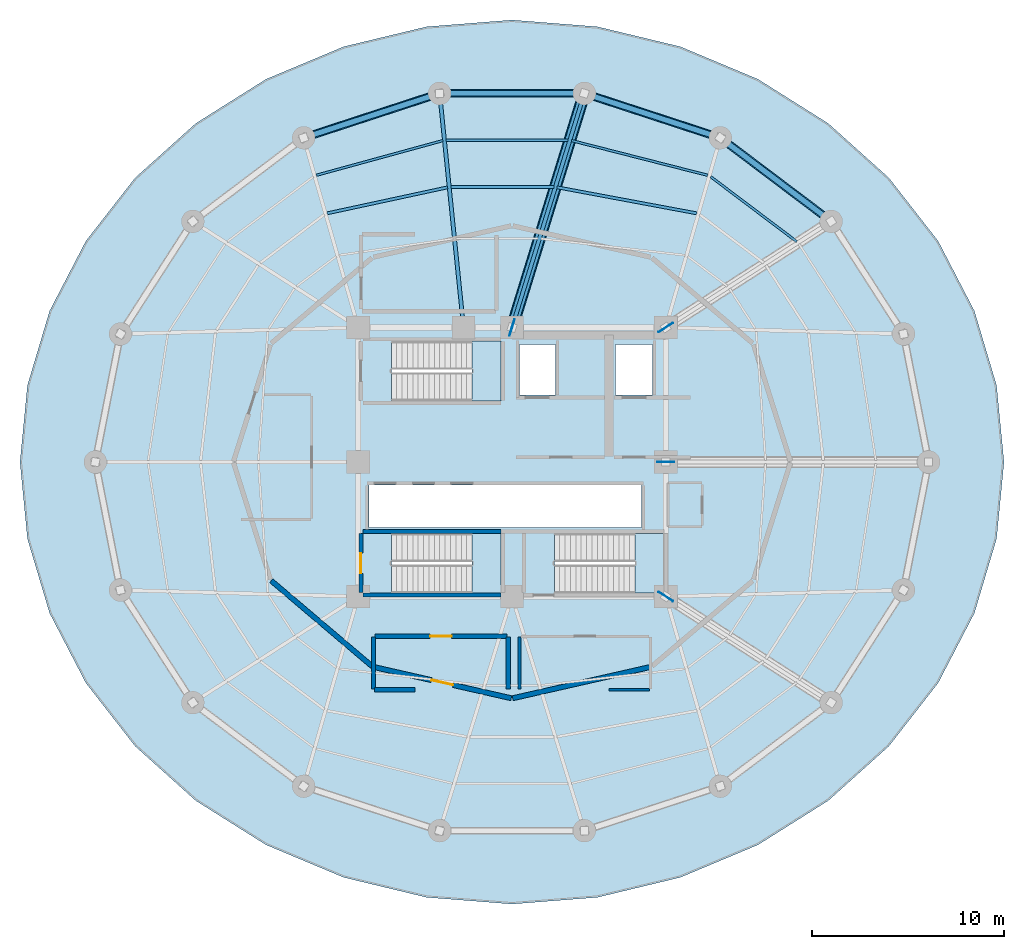
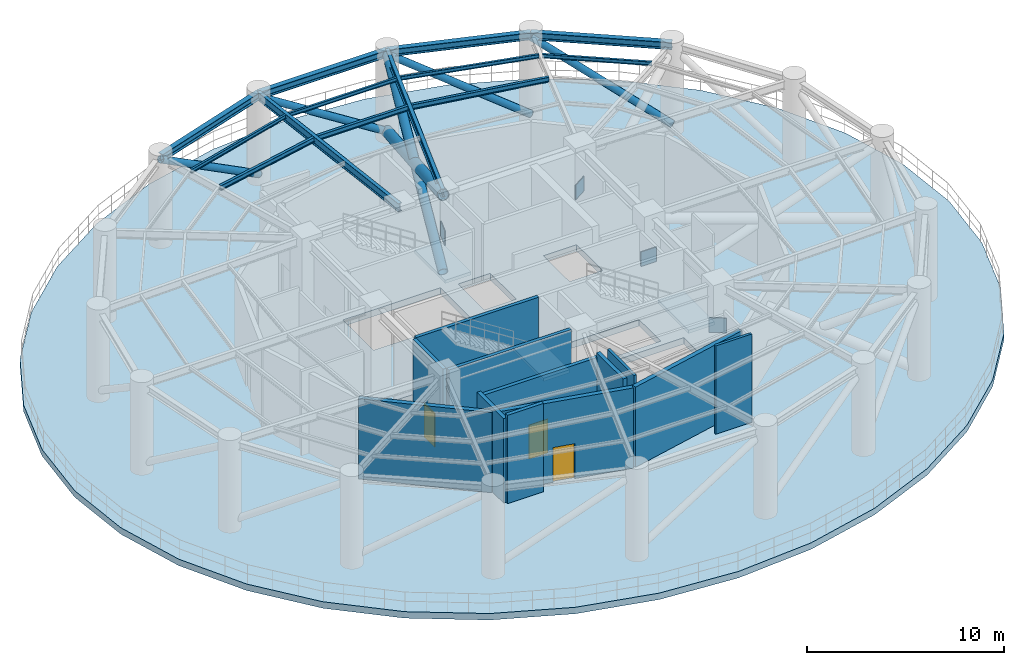
# One storey, part 3 of 7: 13 beams, 12 walls, 6 members, 4 plates, 4 slabs, 3 doors, 3 openings, 3 elements without a shape of their own.
"""IFC4 building model written with IfcOpenShell, lengths in metres."""

from ifc_helpers import new_model, si_unit, direction, frame, frame_2d, origin, origin_2d, place, context, subcontext, project, spatial, polyline, rectangle, hollow_circle, i_section, outline, extrude, source, transform, mapped, material, layer, layer_set, material_profile, profile_set, type_object, element, fill, aggregate, save


model = new_model("IFC4")

# Units and contexts
model_context = context("Model", 3, precision=1e-05, world=origin(), true_north=direction((0.0, 1.0)))
body_context = subcontext(model_context, "Body", "Model", "MODEL_VIEW")
ifc_project = project(units=[si_unit("LENGTHUNIT", "METRE"), si_unit("AREAUNIT", "SQUARE_METRE"), si_unit("VOLUMEUNIT", "CUBIC_METRE"), si_unit("PLANEANGLEUNIT", "RADIAN"), si_unit("MASSUNIT", "GRAM", prefix="KILO")], contexts=[model_context])

# Site, building, storey
site_placement = place(None, origin())
site = spatial("IfcSite", under=ifc_project, at=site_placement, CompositionType="ELEMENT")
building_placement = place(site_placement, origin())
building = spatial("IfcBuilding", under=site, at=building_placement, Name="Kelanora Arch Commons", CompositionType="ELEMENT")
storey_placement = place(building_placement, frame((0.0, 0.0, 129.860107421875)))
storey = spatial("IfcBuildingStorey", under=building, at=storey_placement, Name="L33", CompositionType="ELEMENT", Elevation=129.860107421875)

# Beams
ifc_material_1 = material(Name="Steel S355", Category="steel")
ifc_material_profile_1 = material_profile(ifc_material_1, i_section(OverallWidth=0.14990234375, OverallDepth=0.300048828125, WebThickness=0.007080078125, FlangeThickness=0.0107421875, FilletRadius=0.014892578125, at=origin_2d()), Name="IPE300")
ifc_profile_set_1 = profile_set([ifc_material_profile_1], Name="Steel S355")
beam_type_1 = type_object("IfcBeamType", Name="BM-JST-01", PredefinedType="JOIST", material=ifc_profile_set_1)
beam_1_placement = place(storey_placement, frame((83.620361328125, 70.937744140625, 5.329833984375), z_axis=(-0.983054256126, 0.183314837134, 0.0), x_axis=(-0.183314837134, -0.983054256126, 0.0)))
element("IfcBeam", 1, at=beam_1_placement, inside=storey, type_object=beam_type_1, Name="Secondary Chord Joist BJB-06 L33", PredefinedType="JOIST", context=body_context, shape_type="SweptSolid", body=[
    extrude(i_section(OverallWidth=0.14990234375, OverallDepth=0.300048828125, WebThickness=0.007080078125, FlangeThickness=0.0107421875, FilletRadius=0.014892578125, at=origin_2d()), origin(), (0.0, 0.0, 1.0), 7.403564453125),
])
beam_2_placement = place(storey_placement, frame((76.173828125, 72.310546875, 5.329833984375), z_axis=(-1.0, 0.0, 0.0), x_axis=(0.0, -1.0, 0.0)))
element("IfcBeam", 2, at=beam_2_placement, inside=storey, type_object=beam_type_1, Name="Secondary Chord Joist BJB-08 L33", PredefinedType="JOIST", context=body_context, shape_type="SweptSolid", body=[
    extrude(i_section(OverallWidth=0.14990234375, OverallDepth=0.300048828125, WebThickness=0.007080078125, FlangeThickness=0.0107421875, FilletRadius=0.014892578125, at=origin_2d()), origin(), (0.0, 0.0, 1.0), 5.355712890625),
])
beam_3_placement = place(storey_placement, frame((70.650146484375, 72.29248046875, 5.329833984375), z_axis=(-0.977521966827, -0.210833594029, 0.0), x_axis=(0.210833594029, -0.977521966827, 0.0)))
element("IfcBeam", 3, at=beam_3_placement, inside=storey, type_object=beam_type_1, Name="Secondary Chord Joist BJB-10 L33", PredefinedType="JOIST", context=body_context, shape_type="SweptSolid", body=[
    extrude(i_section(OverallWidth=0.14990234375, OverallDepth=0.300048828125, WebThickness=0.007080078125, FlangeThickness=0.0107421875, FilletRadius=0.014892578125, at=origin_2d()), origin(), (0.0, 0.0, 1.0), 6.415283203125),
])
ifc_material_profile_2 = material_profile(ifc_material_1, i_section(OverallWidth=0.1201171875, OverallDepth=0.239990234375, WebThickness=0.006103515625, FlangeThickness=0.009765625, FilletRadius=0.014892578125, at=origin_2d()), Name="IPE240")
ifc_profile_set_2 = profile_set([ifc_material_profile_2], Name="Steel S355")
beam_type_2 = type_object("IfcBeamType", Name="BM-JST-02", PredefinedType="JOIST", material=ifc_profile_set_2)
beam_4_placement = place(storey_placement, frame((88.818359375, 69.468505859375, 5.35986328125), z_axis=(-0.798493128577, 0.602003923256, 0.0), x_axis=(-0.602003923256, -0.798493128577, 0.0)))
element("IfcBeam", 4, at=beam_4_placement, inside=storey, type_object=beam_type_2, Name="Secondary Chord Joist BJC-04 L33", PredefinedType="JOIST", context=body_context, shape_type="SweptSolid", body=[
    extrude(i_section(OverallWidth=0.1201171875, OverallDepth=0.239990234375, WebThickness=0.006103515625, FlangeThickness=0.009765625, FilletRadius=0.014892578125, at=origin_2d()), origin(), (0.0, 0.0, 1.0), 5.608642578125),
])
beam_5_placement = place(storey_placement, frame((84.189697265625, 72.917236328125, 5.35986328125), z_axis=(-0.96900232943, 0.247051584815, 0.0), x_axis=(-0.247051584815, -0.96900232943, 0.0)))
element("IfcBeam", 5, at=beam_5_placement, inside=storey, type_object=beam_type_2, Name="Secondary Chord Joist BJC-06 L33", PredefinedType="JOIST", context=body_context, shape_type="SweptSolid", body=[
    extrude(i_section(OverallWidth=0.1201171875, OverallDepth=0.239990234375, WebThickness=0.006103515625, FlangeThickness=0.009765625, FilletRadius=0.014892578125, at=origin_2d()), origin(), (0.0, 0.0, 1.0), 7.32275390625),
])
beam_6_placement = place(storey_placement, frame((76.9267578125, 74.747314453125, 5.35986328125), z_axis=(-1.0, 0.0, 0.0), x_axis=(0.0, -1.0, 0.0)))
element("IfcBeam", 6, at=beam_6_placement, inside=storey, type_object=beam_type_2, Name="Secondary Chord Joist BJC-08 L33", PredefinedType="JOIST", context=body_context, shape_type="SweptSolid", body=[
    extrude(i_section(OverallWidth=0.1201171875, OverallDepth=0.239990234375, WebThickness=0.006103515625, FlangeThickness=0.009765625, FilletRadius=0.014892578125, at=origin_2d()), origin(), (0.0, 0.0, 1.0), 6.357666015625),
])
beam_7_placement = place(storey_placement, frame((70.40234375, 74.724853515625, 5.35986328125), z_axis=(-0.964456541131, -0.264241518824, 0.0), x_axis=(0.264241518824, -0.964456541131, 0.0)))
element("IfcBeam", 7, at=beam_7_placement, inside=storey, type_object=beam_type_2, Name="Secondary Chord Joist BJC-10 L33", PredefinedType="JOIST", context=body_context, shape_type="SweptSolid", body=[
    extrude(i_section(OverallWidth=0.1201171875, OverallDepth=0.239990234375, WebThickness=0.006103515625, FlangeThickness=0.009765625, FilletRadius=0.014892578125, at=origin_2d()), origin(), (0.0, 0.0, 1.0), 6.835205078125),
])
ifc_material_profile_3 = material_profile(ifc_material_1, i_section(OverallWidth=0.199951171875, OverallDepth=0.5, WebThickness=0.01025390625, FlangeThickness=0.01611328125, FilletRadius=0.02099609375, at=origin_2d()), Name="IPE500")
ifc_profile_set_3 = profile_set([ifc_material_profile_3], Name="Steel S355")
beam_type_3 = type_object("IfcBeamType", Name="BM-RAD-Z3", PredefinedType="BEAM", material=ifc_profile_set_3)
beam_8_placement = place(storey_placement, frame((74.0, 65.0, 5.22998046875), z_axis=(0.295210315095, 0.955432294755, 0.0), x_axis=(-0.955432294755, 0.295210315095, 0.0)))
element("IfcBeam", 8, at=beam_8_placement, inside=storey, type_object=beam_type_3, Name="Radial Floor Girder BR-08 L33", PredefinedType="BEAM", context=body_context, shape_type="SweptSolid", body=[
    extrude(i_section(OverallWidth=0.199951171875, OverallDepth=0.5, WebThickness=0.01025390625, FlangeThickness=0.01611328125, FilletRadius=0.02099609375, at=origin_2d()), origin(), (0.0, 0.0, 1.0), 12.75244140625),
])
beam_9_placement = place(storey_placement, frame((71.47998046875, 65.0, 5.22998046875), z_axis=(-0.101623200789, 0.994822961668, 0.0), x_axis=(-0.994822961668, -0.101623200789, 0.0)))
element("IfcBeam", 9, at=beam_9_placement, inside=storey, type_object=beam_type_3, Name="Radial Floor Girder BR-10 L33", PredefinedType="BEAM", context=body_context, shape_type="SweptSolid", body=[
    extrude(i_section(OverallWidth=0.199951171875, OverallDepth=0.5, WebThickness=0.01025390625, FlangeThickness=0.01611328125, FilletRadius=0.02099609375, at=origin_2d()), origin(), (0.0, 0.0, 1.0), 12.24755859375),
])
ifc_material_profile_4 = material_profile(ifc_material_1, i_section(OverallWidth=0.300048828125, OverallDepth=0.449951171875, WebThickness=0.013916015625, FlangeThickness=0.02587890625, FilletRadius=0.027099609375, at=origin_2d()), Name="HEB450")
ifc_profile_set_4 = profile_set([ifc_material_profile_4], Name="Steel S355")
beam_type_4 = type_object("IfcBeamType", Name="BM-SPN-Z3", PredefinedType="SPANDREL", material=ifc_profile_set_4)
beam_10_placement = place(storey_placement, frame((90.60791015625, 70.521484375, 5.2548828125), z_axis=(-0.798484645564, 0.60201517489, 0.0), x_axis=(-0.60201517489, -0.798484645564, 0.0)))
element("IfcBeam", 10, at=beam_10_placement, inside=storey, type_object=beam_type_4, Name="Perimeter Spandrel Beam BS-04 L33", PredefinedType="SPANDREL", context=body_context, shape_type="SweptSolid", body=[
    extrude(i_section(OverallWidth=0.300048828125, OverallDepth=0.449951171875, WebThickness=0.013916015625, FlangeThickness=0.02587890625, FilletRadius=0.027099609375, at=origin_2d()), origin(), (0.0, 0.0, 1.0), 7.223388671875),
])
beam_11_placement = place(storey_placement, frame((84.840087890625, 74.8701171875, 5.2548828125), z_axis=(-0.950461975786, 0.310840847676, 0.0), x_axis=(-0.310840847676, -0.950461975786, 0.0)))
element("IfcBeam", 11, at=beam_11_placement, inside=storey, type_object=beam_type_4, Name="Perimeter Spandrel Beam BS-06 L33", PredefinedType="SPANDREL", context=body_context, shape_type="SweptSolid", body=[
    extrude(i_section(OverallWidth=0.300048828125, OverallDepth=0.449951171875, WebThickness=0.013916015625, FlangeThickness=0.02587890625, FilletRadius=0.027099609375, at=origin_2d()), origin(), (0.0, 0.0, 1.0), 7.444091796875),
])
beam_12_placement = place(storey_placement, frame((77.7646484375, 77.18408203125, 5.2548828125), z_axis=(-1.0, 0.0, 0.0), x_axis=(0.0, -1.0, 0.0)))
element("IfcBeam", 12, at=beam_12_placement, inside=storey, type_object=beam_type_4, Name="Perimeter Spandrel Beam BS-08 L33", PredefinedType="SPANDREL", context=body_context, shape_type="SweptSolid", body=[
    extrude(i_section(OverallWidth=0.300048828125, OverallDepth=0.449951171875, WebThickness=0.013916015625, FlangeThickness=0.02587890625, FilletRadius=0.027099609375, at=origin_2d()), origin(), (0.0, 0.0, 1.0), 7.529296875),
])
beam_13_placement = place(storey_placement, frame((70.2353515625, 77.18408203125, 5.2548828125), z_axis=(-0.950461975786, -0.310840847676, 0.0), x_axis=(0.310840847676, -0.950461975786, 0.0)))
element("IfcBeam", 13, at=beam_13_placement, inside=storey, type_object=beam_type_4, Name="Perimeter Spandrel Beam BS-10 L33", PredefinedType="SPANDREL", context=body_context, shape_type="SweptSolid", body=[
    extrude(i_section(OverallWidth=0.300048828125, OverallDepth=0.449951171875, WebThickness=0.013916015625, FlangeThickness=0.02587890625, FilletRadius=0.027099609375, at=origin_2d()), origin(), (0.0, 0.0, 1.0), 7.444091796875),
])

# Members
ifc_material_profile_5 = material_profile(ifc_material_1, hollow_circle(Radius=0.203125, WallThickness=0.02001953125, at=origin_2d()), Name="CHS406.4x20")
ifc_profile_set_5 = profile_set([ifc_material_profile_5], Name="Steel S355")
member_type_1 = type_object("IfcMemberType", Name="MEM-BELT-DIAG", PredefinedType="BRACE", material=ifc_profile_set_5)
member_1_placement = place(storey_placement, frame((90.60791015625, 70.521484375, 0.349853515625), z_axis=(-0.6658906268, 0.502046300299, 0.551850691307), x_axis=(-0.60201517489, -0.798484645564, 0.0)))
element("IfcMember", 14, at=member_1_placement, inside=storey, type_object=member_type_1, Name="Belt Truss Diagonal MB-04 L33", PredefinedType="BRACE", context=body_context, shape_type="SweptSolid", body=[
    extrude(hollow_circle(Radius=0.203125, WallThickness=0.02001953125, at=origin_2d()), origin(), (0.0, 0.0, 1.0), 8.661865234375),
])
member_2_placement = place(storey_placement, frame((84.840087890625, 74.8701171875, 0.349853515625), z_axis=(-0.799778534693, 0.261561055582, 0.540314824567), x_axis=(-0.310840847676, -0.950461975786, 0.0)))
element("IfcMember", 15, at=member_2_placement, inside=storey, type_object=member_type_1, Name="Belt Truss Diagonal MB-06 L33", PredefinedType="BRACE", context=body_context, shape_type="SweptSolid", body=[
    extrude(hollow_circle(Radius=0.203125, WallThickness=0.02001953125, at=origin_2d()), origin(), (0.0, 0.0, 1.0), 8.8466796875),
])
member_3_placement = place(storey_placement, frame((77.7646484375, 77.18408203125, 0.349853515625), z_axis=(-0.844236998932, 0.0, 0.535970045463), x_axis=(0.0, -1.0, 0.0)))
element("IfcMember", 16, at=member_3_placement, inside=storey, type_object=member_type_1, Name="Belt Truss Diagonal MB-08 L33", PredefinedType="BRACE", context=body_context, shape_type="SweptSolid", body=[
    extrude(hollow_circle(Radius=0.203125, WallThickness=0.02001953125, at=origin_2d()), origin(), (0.0, 0.0, 1.0), 8.91845703125),
])
member_4_placement = place(storey_placement, frame((70.2353515625, 77.18408203125, 0.349853515625), z_axis=(-0.799778534693, -0.261561055582, 0.540314824567), x_axis=(0.310840847676, -0.950461975786, 0.0)))
element("IfcMember", 17, at=member_4_placement, inside=storey, type_object=member_type_1, Name="Belt Truss Diagonal MB-10 L33", PredefinedType="BRACE", context=body_context, shape_type="SweptSolid", body=[
    extrude(hollow_circle(Radius=0.203125, WallThickness=0.02001953125, at=origin_2d()), origin(), (0.0, 0.0, 1.0), 8.8466796875),
])
ifc_material_profile_6 = material_profile(ifc_material_1, hollow_circle(Radius=0.304931640625, WallThickness=0.030029296875, at=origin_2d()), Name="CHS610x30")
ifc_profile_set_6 = profile_set([ifc_material_profile_6], Name="Steel S355")
member_type_2 = type_object("IfcMemberType", Name="MEM-OUT-CHORD", PredefinedType="CHORD", material=ifc_profile_set_6)
member_5_placement = place(storey_placement, frame((74.0, 65.0, 5.1298828125), z_axis=(0.276429218056, 0.894648285105, -0.350986229593), x_axis=(-0.955432294755, 0.295210315095, 0.0)))
element("IfcMember", 18, at=member_5_placement, inside=storey, type_object=member_type_2, Name="Outrigger Counter-Brace MO-08B L33", PredefinedType="CHORD", context=body_context, shape_type="SweptSolid", body=[
    extrude(hollow_circle(Radius=0.304931640625, WallThickness=0.030029296875, at=origin_2d()), origin(), (0.0, 0.0, 1.0), 13.618896484375),
])
ifc_material_profile_7 = material_profile(ifc_material_1, hollow_circle(Radius=0.25390625, WallThickness=0.02490234375, at=origin_2d()), Name="CHS508x25")
ifc_profile_set_7 = profile_set([ifc_material_profile_7], Name="Steel S355")
member_type_3 = type_object("IfcMemberType", Name="MEM-OUT-DIAG", PredefinedType="BRACE", material=ifc_profile_set_7)
member_6_placement = place(storey_placement, frame((74.0, 65.0, 0.349853515625), z_axis=(0.276429218056, 0.894648285105, 0.350986229593), x_axis=(-0.955432294755, 0.295210315095, 0.0)))
element("IfcMember", 19, at=member_6_placement, inside=storey, type_object=member_type_3, Name="Outrigger Diagonal MO-08A L33", PredefinedType="BRACE", context=body_context, shape_type="SweptSolid", body=[
    extrude(hollow_circle(Radius=0.25390625, WallThickness=0.02490234375, at=origin_2d()), origin(), (0.0, 0.0, 1.0), 13.618896484375),
])

# Stair, slab
ifc_material_2 = material(Name="Concrete C40/50", Category="concrete")
stair_type = type_object("IfcStairType", Name="STR-DL-574", PredefinedType="HALF_TURN_STAIR", material=ifc_material_2)
stair_1_placement = place(storey_placement, origin())
stair_1 = element("IfcStair", 20, at=stair_1_placement, inside=storey, type_object=stair_type, Name="L33 ST-T1", PredefinedType="HALF_TURN_STAIR")
ifc_layer_1 = layer(ifc_material_2, 0.199951171875)
ifc_layer_set_1 = layer_set([ifc_layer_1], Name="Concrete C40/50")
slab_type_1 = type_object("IfcSlabType", Name="SLB-STAIR-LND", PredefinedType="LANDING", material=ifc_layer_set_1)
slab_1_placement = place(storey_placement, frame((0.0, 0.0, 2.669921875)))
slab_1 = element("IfcSlab", 21, at=slab_1_placement, type_object=slab_type_1, Name="ST-T1 landing 1", PredefinedType="LANDING", context=body_context, shape_type="SweptSolid", body=[
    extrude(outline(polyline([(71.919921875, 61.179931640625), (73.43994140625, 61.179931640625), (73.43994140625, 64.2900390625), (71.919921875, 64.2900390625), (71.919921875, 61.179931640625)])), origin(), (0.0, 0.0, 1.0), 0.199951171875),
])
aggregate(stair_1, [slab_1])

stair_2_placement = place(storey_placement, origin())
stair_2 = element("IfcStair", 22, at=stair_2_placement, inside=storey, type_object=stair_type, Name="L33 ST-T2", PredefinedType="HALF_TURN_STAIR")
slab_2_placement = place(storey_placement, frame((0.0, 0.0, 2.669921875)))
slab_2 = element("IfcSlab", 23, at=slab_2_placement, type_object=slab_type_1, Name="ST-T2 landing 1", PredefinedType="LANDING", context=body_context, shape_type="SweptSolid", body=[
    extrude(outline(polyline([(80.39990234375, 51.179931640625), (81.919921875, 51.179931640625), (81.919921875, 54.2900390625), (80.39990234375, 54.2900390625), (80.39990234375, 51.179931640625)])), origin(), (0.0, 0.0, 1.0), 0.199951171875),
])
aggregate(stair_2, [slab_2])

stair_3_placement = place(storey_placement, origin())
stair_3 = element("IfcStair", 24, at=stair_3_placement, inside=storey, type_object=stair_type, Name="L33 ST-T3", PredefinedType="HALF_TURN_STAIR")
slab_3_placement = place(storey_placement, frame((0.0, 0.0, 2.669921875)))
slab_3 = element("IfcSlab", 25, at=slab_3_placement, type_object=slab_type_1, Name="ST-T3 landing 1", PredefinedType="LANDING", context=body_context, shape_type="SweptSolid", body=[
    extrude(outline(polyline([(71.919921875, 51.179931640625), (73.43994140625, 51.179931640625), (73.43994140625, 54.2900390625), (71.919921875, 54.2900390625), (71.919921875, 51.179931640625)])), origin(), (0.0, 0.0, 1.0), 0.199951171875),
])
aggregate(stair_3, [slab_3])

# Slab
ifc_material_3 = material(Name="Concrete C50/60", Category="concrete")
ifc_layer_2 = layer(ifc_material_3, 0.39990234375)
ifc_layer_set_2 = layer_set([ifc_layer_2], Name="Concrete C50/60")
slab_type_2 = type_object("IfcSlabType", Name="SLB-TWR-XFER", PredefinedType="FLOOR", material=ifc_layer_set_2)
slab_4_placement = place(storey_placement, frame((0.0, 0.0, -0.400146484375)))
element("IfcSlab", 26, at=slab_4_placement, inside=storey, type_object=slab_type_2, Name="Tower Floor Slab L33", PredefinedType="FLOOR", context=body_context, shape_type="SweptSolid", body=[
    extrude(outline(polyline([(99.60009765625, 58.0), (99.211181640625, 61.993896484375), (98.05615234375, 65.866455078125), (96.17041015625, 69.5), (93.610595703125, 72.7841796875), (90.455322265625, 75.618896484375), (86.800048828125, 77.918701171875), (82.755615234375, 79.61279296875), (78.4453125, 80.650634765625), (74.0, 81.0), (69.5546875, 80.650634765625), (65.244384765625, 79.61279296875), (61.199951171875, 77.918701171875), (57.544677734375, 75.618896484375), (54.389404296875, 72.7841796875), (51.82958984375, 69.5), (49.94384765625, 65.866455078125), (48.788818359375, 61.993896484375), (48.39990234375, 58.0), (48.788818359375, 54.006103515625), (49.94384765625, 50.133544921875), (51.82958984375, 46.5), (54.389404296875, 43.2158203125), (57.544677734375, 40.381103515625), (61.199951171875, 38.081298828125), (65.244384765625, 36.38720703125), (69.5546875, 35.349365234375), (74.0, 35.0), (78.4453125, 35.349365234375), (82.755615234375, 36.38720703125), (86.800048828125, 38.081298828125), (90.455322265625, 40.381103515625), (93.610595703125, 43.2158203125), (96.17041015625, 46.5), (98.05615234375, 50.133544921875), (99.211181640625, 54.006103515625), (99.60009765625, 58.0)]), holes=[polyline([(73.431884765625, 51.18798828125), (67.72802734375, 51.18798828125), (67.72802734375, 54.281982421875), (73.431884765625, 54.281982421875), (73.431884765625, 51.18798828125)]), polyline([(76.2080078125, 51.18798828125), (76.2080078125, 54.281982421875), (81.912109375, 54.281982421875), (81.912109375, 51.18798828125), (76.2080078125, 51.18798828125)]), polyline([(66.550048828125, 54.60009765625), (66.550048828125, 56.800048828125), (80.75, 56.800048828125), (80.75, 54.60009765625), (66.550048828125, 54.60009765625)]), polyline([(73.431884765625, 61.18798828125), (67.72802734375, 61.18798828125), (67.72802734375, 64.281982421875), (73.431884765625, 64.281982421875), (73.431884765625, 61.18798828125)]), polyline([(74.3798828125, 61.47998046875), (74.3798828125, 64.1201171875), (76.260009765625, 64.1201171875), (76.260009765625, 61.47998046875), (74.3798828125, 61.47998046875)]), polyline([(79.3798828125, 61.47998046875), (79.3798828125, 64.1201171875), (81.320068359375, 64.1201171875), (81.320068359375, 61.47998046875), (79.3798828125, 61.47998046875)])]), origin(), (0.0, 0.0, 1.0), 0.400146484375),
])

# Plates
ifc_layer_3 = layer(ifc_material_1, 0.0400390625)
ifc_layer_set_3 = layer_set([ifc_layer_3], Name="Steel S355")
plate_type = type_object("IfcPlateType", Name="PLT-OUT-GUS", PredefinedType="SHEET", material=ifc_layer_set_3)
shared_shape = source(origin(), body_context, "Body", "SweptSolid", [
    extrude(rectangle(XDim=0.89990234375, YDim=0.0400390625, at=origin_2d()), origin(), (0.0, 0.0, 1.0), 0.89990234375),
])
for number, where, z_axis, x_axis, name in (
    (27, (82.0, 51.0, 2.2900390625), (0.0, 0.0, 1.0), (0.841715631336, -0.539921101611, 0.0), "Outrigger Gusset Plate 32 L33"),
    (28, (82.0, 58.0, 2.2900390625), (0.0, 0.0, 1.0), (1.0, 0.0, 0.0), "Outrigger Gusset Plate 00 L33"),
    (29, (82.0, 65.0, 2.2900390625), (0.0, 0.0, 1.0), (0.841715631336, 0.539921101611, 0.0), "Outrigger Gusset Plate 04 L33"),
    (30, (74.0, 65.0, 2.2900390625), (0.0, 0.0, 1.0), (0.295213608625, 0.955431277111, 0.0), "Outrigger Gusset Plate 08 L33"),
):
    element("IfcPlate", number, at=place(storey_placement, frame(where, z_axis=z_axis, x_axis=x_axis)), inside=storey, type_object=plate_type, Name=name, PredefinedType="SHEET", context=body_context, shape_type="MappedRepresentation", body=[
        mapped(shared_shape, transform((0.0, 0.0, 0.0), scale=1.0)),
    ])

# Walls
ifc_material_4 = material(Name="Autoclaved aerated concrete blockwork with fire plaster", Category="masonry")
ifc_layer_4 = layer(ifc_material_4, 0.14990234375)
ifc_layer_set_4 = layer_set([ifc_layer_4], Name="Autoclaved aerated concrete blockwork with fire plaster")
wall_type_1 = type_object("IfcWallType", Name="W-COMP-150", PredefinedType="PARTITIONING", material=ifc_layer_set_4)
wall_1_placement = place(storey_placement, frame((79.0478515625, 46.14990234375, 0.0), z_axis=(0.0, 0.0, 1.0), x_axis=(1.0, 0.0, 0.0)))
element("IfcWall", 31, at=wall_1_placement, inside=storey, type_object=wall_type_1, Name="Domestic Booster Pump and Electrical Switchroom L33 Enclosure Partition 1", PredefinedType="PARTITIONING", context=body_context, shape_type="SweptSolid", body=[
    extrude(rectangle(XDim=2.112060546875, YDim=0.14990234375, at=frame_2d((1.05615234375, 0.0))), origin(), (0.0, 0.0, 1.0), 5.469970703125),
])
wall_2_placement = place(storey_placement, frame((74.39990234375, 48.889892578125, 0.0), z_axis=(0.0, 0.0, 1.0), x_axis=(0.0, -1.0, 0.0)))
element("IfcWall", 32, at=wall_2_placement, inside=storey, type_object=wall_type_1, Name="Domestic Booster Pump and Electrical Switchroom L33 Enclosure Partition 4", PredefinedType="PARTITIONING", context=body_context, shape_type="SweptSolid", body=[
    extrude(rectangle(XDim=2.699951171875, YDim=0.14990234375, at=frame_2d((1.35009765625, 0.0))), origin(), (0.0, 0.0, 1.0), 5.224853515625),
])
ifc_material_5 = material(Name="Precast concrete C40/50 with terracotta rainscreen", Category="masonry")
ifc_layer_5 = layer(ifc_material_5, 0.260009765625)
ifc_layer_set_5 = layer_set([ifc_layer_5], Name="Precast concrete C40/50 with terracotta rainscreen")
wall_type_2 = type_object("IfcWallType", Name="W-EXT-TC", PredefinedType="SOLIDWALL", material=ifc_layer_set_5)
wall_3_placement = place(storey_placement, frame((61.47314453125, 51.82421875, 0.0), z_axis=(0.0, 0.0, 1.0), x_axis=(0.762580748943, -0.646893037018, 0.0)))
element("IfcWall", 33, at=wall_3_placement, inside=storey, type_object=wall_type_2, Name="Wind-Floor Plant/Refuge Enclosure Wall L33-08", PredefinedType="SOLIDWALL", context=body_context, shape_type="SweptSolid", body=[
    extrude(rectangle(XDim=6.879638671875, YDim=0.260009765625, at=frame_2d((3.43994140625, 0.0))), origin(), (0.0, 0.0, 1.0), 4.9599609375),
])

# Wall, opening, door
wall_4_placement = place(storey_placement, frame((66.7890625, 47.339111328125, 0.0), z_axis=(0.0, 0.0, 1.0), x_axis=(0.975128290494, -0.221641189938, 0.0)))
wall_4 = element("IfcWall", 34, at=wall_4_placement, inside=storey, type_object=wall_type_2, Name="Wind-Floor Plant/Refuge Enclosure Wall L33-09", PredefinedType="SOLIDWALL", context=body_context, shape_type="SweptSolid", body=[
    extrude(rectangle(XDim=7.354736328125, YDim=0.260009765625, at=frame_2d((3.67724609375, 0.0))), origin(), (0.0, 0.0, 1.0), 4.9599609375),
])
opening_1_placement = place(wall_4_placement, frame((3.10205078125, 0.0, 0.0)))
opening_1 = element("IfcOpeningElement", 35, at=opening_1_placement, cuts=wall_4, Name="Opening DT-01", PredefinedType="OPENING", context=body_context, shape_type="SweptSolid", body=[
    extrude(rectangle(XDim=1.14990234375, YDim=2.14990234375, at=frame_2d((0.574951171875, 1.074951171875))), frame((0.0, 0.14013671875, 0.0), z_axis=(0.0, -1.0, 0.0), x_axis=(1.0, 0.0, 0.0)), (0.0, 0.0, 1.0), 0.280029296875),
])
ifc_material_6 = material(Name="Weather-sealed aluminium terrace door", Category="aluminium")
door_type_1 = type_object("IfcDoorType", Name="D-TERR-12", OperationType="NOTDEFINED", PredefinedType="DOOR", material=ifc_material_6)
door_1_placement = place(opening_1_placement, frame((1.14990234375, 0.0, 0.0), z_axis=(0.0, 0.0, 1.0), x_axis=(-1.0, 0.0, 0.0)))
door_1 = element("IfcDoor", 36, at=door_1_placement, inside=storey, type_object=door_type_1, Name="Wind-Floor Deck Maintenance Door L33-08", OperationType="SINGLE_SWING_RIGHT", OverallHeight=2.14990234375, OverallWidth=1.14990234375, PredefinedType="DOOR", context=body_context, shape_type="SweptSolid", body=[
    extrude(rectangle(XDim=1.14990234375, YDim=2.14990234375, at=frame_2d((0.574951171875, 1.074951171875))), frame((0.0, 0.02490234375, 0.0), z_axis=(0.0, -1.0, 0.0), x_axis=(1.0, 0.0, 0.0)), (0.0, 0.0, 1.0), 0.050048828125),
])
fill(opening_1, door_1)

# Wall
wall_5_placement = place(storey_placement, frame((74.0390625, 45.708984375, 0.0), z_axis=(0.0, 0.0, 1.0), x_axis=(0.975128290494, 0.221641189938, 0.0)))
element("IfcWall", 37, at=wall_5_placement, inside=storey, type_object=wall_type_2, Name="Wind-Floor Plant/Refuge Enclosure Wall L33-10", PredefinedType="SOLIDWALL", context=body_context, shape_type="SweptSolid", body=[
    extrude(rectangle(XDim=7.354736328125, YDim=0.260009765625, at=frame_2d((3.67724609375, 0.0))), origin(), (0.0, 0.0, 1.0), 4.9599609375),
])

# Wall, opening, door
ifc_layer_6 = layer(ifc_material_2, 0.219970703125)
ifc_layer_set_6 = layer_set([ifc_layer_6], Name="Concrete C40/50")
wall_type_3 = type_object("IfcWallType", Name="W-REF-200", PredefinedType="SOLIDWALL", material=ifc_layer_set_6)
wall_6_placement = place(storey_placement, frame((66.860107421875, 48.929931640625, 0.0), z_axis=(0.0, 0.0, 1.0), x_axis=(1.0, 0.0, 0.0)))
wall_6 = element("IfcWall", 38, at=wall_6_placement, inside=storey, type_object=wall_type_3, Name="Protected Fire Refuge Holding Area L33-South Entry Partition", PredefinedType="SOLIDWALL", context=body_context, shape_type="SweptSolid", body=[
    extrude(rectangle(XDim=6.8798828125, YDim=0.219970703125, at=frame_2d((3.43994140625, 0.0))), origin(), (0.0, 0.0, 1.0), 4.96484375),
])
opening_2_placement = place(wall_6_placement, frame((2.8798828125, 0.0, 0.0)))
opening_2 = element("IfcOpeningElement", 39, at=opening_2_placement, cuts=wall_6, Name="Opening D-REF1", PredefinedType="OPENING", context=body_context, shape_type="SweptSolid", body=[
    extrude(rectangle(XDim=1.1201171875, YDim=2.10009765625, at=frame_2d((0.56005859375, 1.050048828125))), frame((0.0, 0.1201171875, 0.0), z_axis=(0.0, -1.0, 0.0), x_axis=(1.0, 0.0, 0.0)), (0.0, 0.0, 1.0), 0.239990234375),
])
ifc_material_7 = material(Name="Two-hour fire refuge holding room door")
door_type_2 = type_object("IfcDoorType", Name="D-REF-110", OperationType="NOTDEFINED", PredefinedType="DOOR", material=ifc_material_7)
door_2_placement = place(opening_2_placement, origin())
door_2 = element("IfcDoor", 40, at=door_2_placement, inside=storey, type_object=door_type_2, Name="Protected Fire Refuge Holding Area L33-South Door", OperationType="SINGLE_SWING_RIGHT", OverallHeight=2.10009765625, OverallWidth=1.1201171875, PredefinedType="DOOR", context=body_context, shape_type="SweptSolid", body=[
    extrude(rectangle(XDim=1.1201171875, YDim=2.10009765625, at=frame_2d((0.56005859375, 1.050048828125))), frame((0.0, 0.02490234375, 0.0), z_axis=(0.0, -1.0, 0.0), x_axis=(1.0, 0.0, 0.0)), (0.0, 0.0, 1.0), 0.050048828125),
])
fill(opening_2, door_2)

# Walls
wall_7_placement = place(storey_placement, frame((66.840087890625, 46.14990234375, 0.0), z_axis=(0.0, 0.0, 1.0), x_axis=(1.0, 0.0, 0.0)))
element("IfcWall", 41, at=wall_7_placement, inside=storey, type_object=wall_type_3, Name="Protected Fire Refuge Holding Area L33-South Enclosure Partition 1", PredefinedType="SOLIDWALL", context=body_context, shape_type="SweptSolid", body=[
    extrude(rectangle(XDim=2.112060546875, YDim=0.219970703125, at=frame_2d((1.05615234375, 0.0))), origin(), (0.0, 0.0, 1.0), 5.469970703125),
])
for number, where, z_axis, x_axis, name in (
    (42, (73.800048828125, 46.18994140625, 0.0), (0.0, 0.0, 1.0), (0.0, 1.0, 0.0), "Protected Fire Refuge Holding Area L33-South Enclosure Partition 2"),
    (43, (66.800048828125, 48.889892578125, 0.0), (0.0, 0.0, 1.0), (0.0, -1.0, 0.0), "Protected Fire Refuge Holding Area L33-South Enclosure Partition 4"),
):
    element("IfcWall", number, at=place(storey_placement, frame(where, z_axis=z_axis, x_axis=x_axis)), inside=storey, type_object=wall_type_3, Name=name, PredefinedType="SOLIDWALL", context=body_context, shape_type="SweptSolid", body=[
        extrude(rectangle(XDim=2.699951171875, YDim=0.219970703125, at=frame_2d((1.35009765625, 0.0))), origin(), (0.0, 0.0, 1.0), 5.224853515625),
    ])
ifc_layer_7 = layer(ifc_material_2, 0.199951171875)
ifc_layer_set_7 = layer_set([ifc_layer_7], Name="Concrete C40/50")
wall_type_4 = type_object("IfcWallType", Name="W-STAIR-200", PredefinedType="SHEAR", material=ifc_layer_set_7)
for number, where, z_axis, x_axis, name in (
    (44, (66.260009765625, 51.080078125, 0.0), (0.0, 0.0, 1.0), (1.0, 0.0, 0.0), "Stair ST-T3 Shaft Wall S L33"),
    (45, (73.419921875, 54.389892578125, 0.0), (0.0, 0.0, 1.0), (-1.0, 0.0, 0.0), "Stair ST-T3 Shaft Wall N L33"),
):
    element("IfcWall", number, at=place(storey_placement, frame(where, z_axis=z_axis, x_axis=x_axis)), inside=storey, type_object=wall_type_4, Name=name, PredefinedType="SHEAR", context=body_context, shape_type="SweptSolid", body=[
        extrude(rectangle(XDim=7.159912109375, YDim=0.199951171875, at=frame_2d((3.580078125, 0.0))), origin(), (0.0, 0.0, 1.0), 5.47998046875),
    ])

# Wall, opening, door
wall_8_placement = place(storey_placement, frame((66.139892578125, 54.27001953125, 0.0), z_axis=(0.0, 0.0, 1.0), x_axis=(0.0, -1.0, 0.0)))
wall_8 = element("IfcWall", 46, at=wall_8_placement, inside=storey, type_object=wall_type_4, Name="Stair ST-T3 Shaft Wall W L33", PredefinedType="SHEAR", context=body_context, shape_type="SweptSolid", body=[
    extrude(rectangle(XDim=3.070068359375, YDim=0.199951171875, at=frame_2d((1.53515625, 0.0))), origin(), (0.0, 0.0, 1.0), 5.47998046875),
])
opening_3_placement = place(wall_8_placement, frame((1.010009765625, 0.0, 0.0)))
opening_3 = element("IfcOpeningElement", 47, at=opening_3_placement, cuts=wall_8, Name="Opening D-ST1", PredefinedType="OPENING", context=body_context, shape_type="SweptSolid", body=[
    extrude(rectangle(XDim=1.050048828125, YDim=2.10009765625, at=frame_2d((0.52490234375, 1.050048828125))), frame((0.0, 0.10986328125, 0.0), z_axis=(0.0, -1.0, 0.0), x_axis=(1.0, 0.0, 0.0)), (0.0, 0.0, 1.0), 0.219970703125),
])
ifc_material_8 = material(Name="Steel fire-rated stairwell escape door", Category="steel")
door_type_3 = type_object("IfcDoorType", Name="D-STAIR-110", OperationType="NOTDEFINED", PredefinedType="DOOR", material=ifc_material_8)
door_3_placement = place(opening_3_placement, origin())
door_3 = element("IfcDoor", 48, at=door_3_placement, inside=storey, type_object=door_type_3, Name="Stair ST-T3 Escape Door L33", OperationType="SINGLE_SWING_LEFT", OverallHeight=2.10009765625, OverallWidth=1.050048828125, PredefinedType="DOOR", context=body_context, shape_type="SweptSolid", body=[
    extrude(rectangle(XDim=1.050048828125, YDim=2.10009765625, at=frame_2d((0.52490234375, 1.050048828125))), frame((0.0, 0.02490234375, 0.0), z_axis=(0.0, -1.0, 0.0), x_axis=(1.0, 0.0, 0.0)), (0.0, 0.0, 1.0), 0.050048828125),
])
fill(opening_3, door_3)

save(model, "model.ifc")
